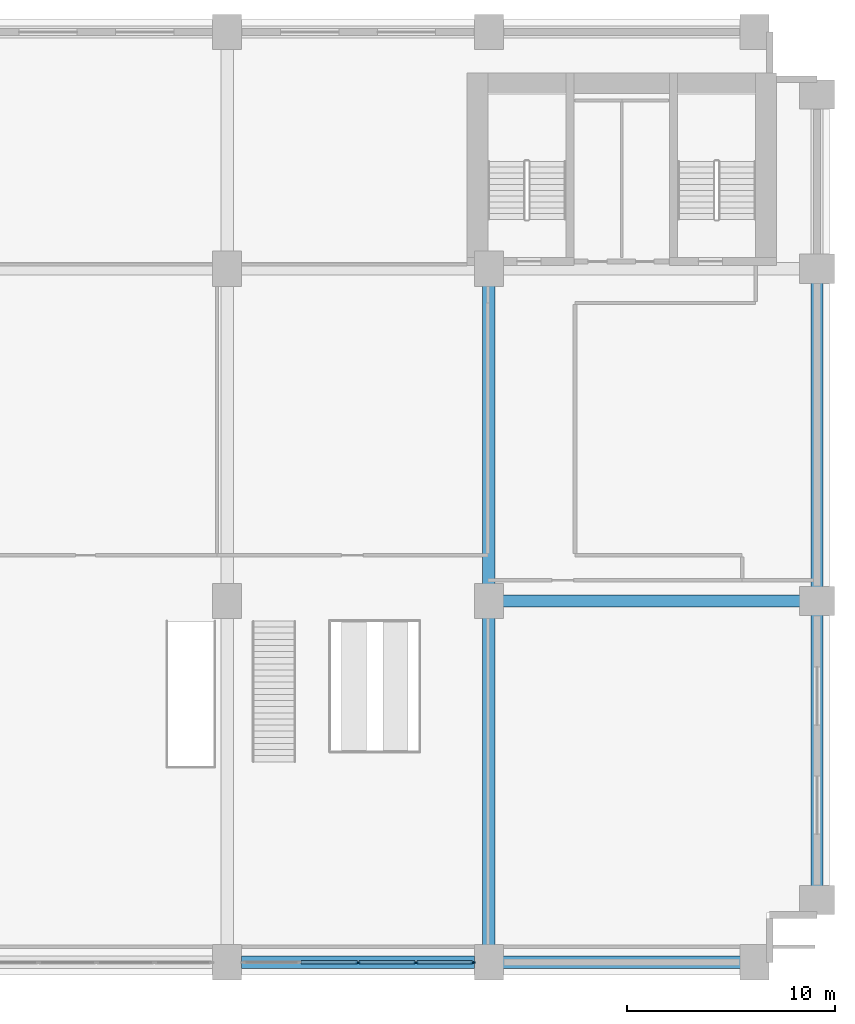
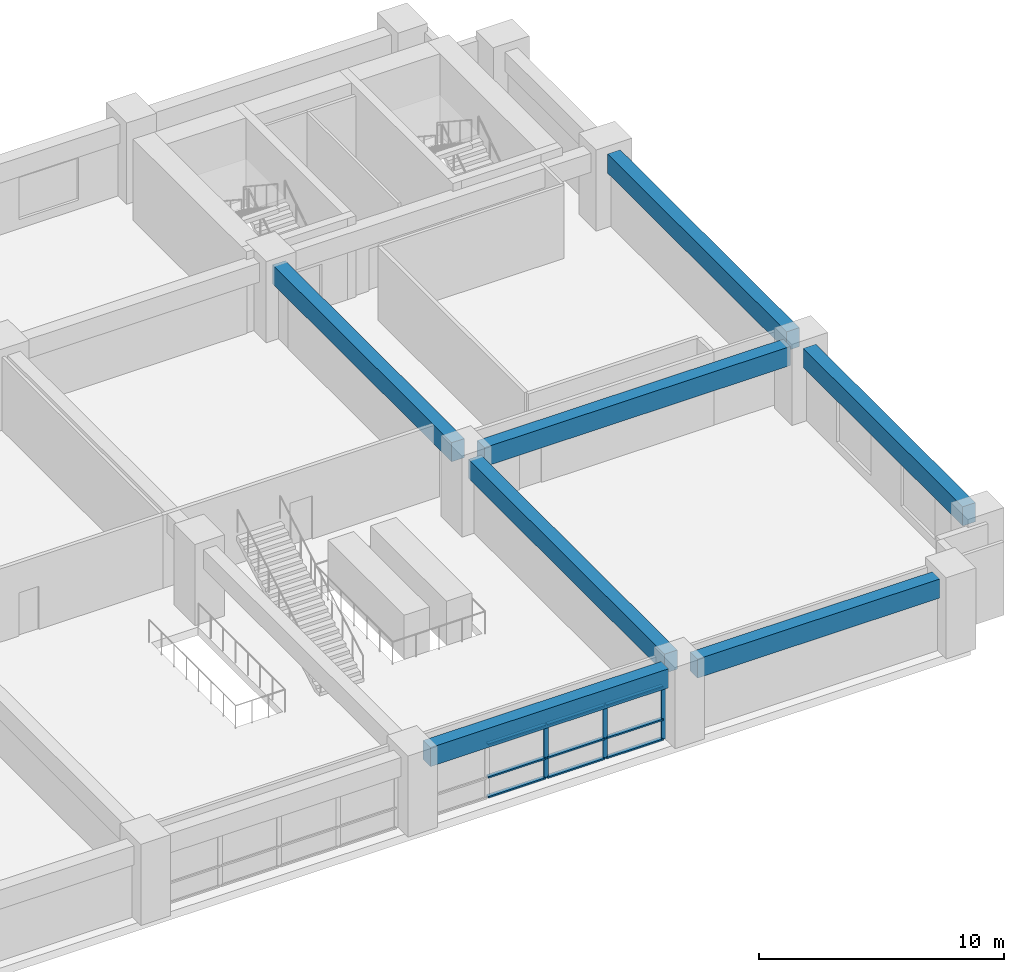
# One storey, part 3 of 11: 12 members, 7 beams, 1 element without a shape of its own.
"""IFC4 building model written with IfcOpenShell, lengths in metres."""

from ifc_helpers import new_model, si_unit, direction, frame, origin, origin_2d, place, context, subcontext, project, spatial, rectangle, extrude, material, layer, layer_set, material_profile, profile_set, type_object, element, aggregate, save


model = new_model("IFC4")

# Units and contexts
model_context = context("Model", 3, precision=1e-05, world=origin(), true_north=direction((0.0, 1.0)))
body_context = subcontext(model_context, "Body", "Model", "MODEL_VIEW")
ifc_project = project(units=[si_unit("LENGTHUNIT", "METRE"), si_unit("AREAUNIT", "SQUARE_METRE"), si_unit("VOLUMEUNIT", "CUBIC_METRE"), si_unit("PLANEANGLEUNIT", "RADIAN"), si_unit("MASSUNIT", "GRAM", prefix="KILO")], contexts=[model_context])

# Site, building, storey
site_placement = place(None, origin())
site = spatial("IfcSite", under=ifc_project, at=site_placement, CompositionType="ELEMENT")
building_placement = place(site_placement, origin())
building = spatial("IfcBuilding", under=site, at=building_placement, Name="Sulina Concourse Tower", CompositionType="ELEMENT")
storey_placement = place(building_placement, frame((0.0, 0.0, 9.449951171875)))
storey = spatial("IfcBuildingStorey", under=building, at=storey_placement, Name="L02", CompositionType="ELEMENT", Elevation=9.449951171875)

# Beams
ifc_material_1 = material(Name="Concrete C60/75", Category="concrete")
ifc_material_profile_1 = material_profile(ifc_material_1, rectangle(XDim=0.60009765625, YDim=0.949951171875, at=origin_2d()), Name="RC 600x950")
ifc_profile_set_1 = profile_set([ifc_material_profile_1], Name="Concrete C60/75")
beam_type = type_object("IfcBeamType", Name="Basement & Podium Primary Beam 600x950", PredefinedType="BEAM", material=ifc_profile_set_1)
beam_1_placement = place(storey_placement, frame((29.679931640625, 0.60009765625, 3.175048828125), z_axis=(1.0, 0.0, 0.0), x_axis=(0.0, 1.0, 0.0)))
element("IfcBeam", 1, at=beam_1_placement, inside=storey, type_object=beam_type, Name="PB-S3-L02", PredefinedType="BEAM", context=body_context, shape_type="SweptSolid", body=[
    extrude(rectangle(XDim=0.60009765625, YDim=0.949951171875, at=origin_2d()), origin(), (0.0, 0.0, 1.0), 11.239990234375),
])
beam_2_placement = place(storey_placement, frame((42.280029296875, 0.60009765625, 3.175048828125), z_axis=(1.0, 0.0, 0.0), x_axis=(0.0, 1.0, 0.0)))
element("IfcBeam", 2, at=beam_2_placement, inside=storey, type_object=beam_type, Name="PB-S4-L02", PredefinedType="BEAM", context=body_context, shape_type="SweptSolid", body=[
    extrude(rectangle(XDim=0.60009765625, YDim=0.949951171875, at=origin_2d()), origin(), (0.0, 0.0, 1.0), 11.43994140625),
])
beam_3_placement = place(storey_placement, frame((42.280029296875, 18.0, 3.175048828125), z_axis=(1.0, 0.0, 0.0), x_axis=(0.0, 1.0, 0.0)))
element("IfcBeam", 3, at=beam_3_placement, inside=storey, type_object=beam_type, Name="PB-M5-L02", PredefinedType="BEAM", context=body_context, shape_type="SweptSolid", body=[
    extrude(rectangle(XDim=0.60009765625, YDim=0.949951171875, at=origin_2d()), origin(), (0.0, 0.0, 1.0), 14.43994140625),
])
beam_4_placement = place(storey_placement, frame((57.39990234375, 4.280029296875, 3.175048828125), z_axis=(0.0, 1.0, 0.0), x_axis=(-1.0, 0.0, 0.0)))
element("IfcBeam", 4, at=beam_4_placement, inside=storey, type_object=beam_type, Name="PB-E1-L02", PredefinedType="BEAM", context=body_context, shape_type="SweptSolid", body=[
    extrude(rectangle(XDim=0.60009765625, YDim=0.949951171875, at=origin_2d()), origin(), (0.0, 0.0, 1.0), 13.0400390625),
])
beam_5_placement = place(storey_placement, frame((57.39990234375, 18.679931640625, 3.175048828125), z_axis=(0.0, 1.0, 0.0), x_axis=(-1.0, 0.0, 0.0)))
element("IfcBeam", 5, at=beam_5_placement, inside=storey, type_object=beam_type, Name="PB-E2-L02", PredefinedType="BEAM", context=body_context, shape_type="SweptSolid", body=[
    extrude(rectangle(XDim=0.60009765625, YDim=0.949951171875, at=origin_2d()), origin(), (0.0, 0.0, 1.0), 14.64013671875),
])
beam_6_placement = place(storey_placement, frame((41.60009765625, 1.280029296875, 3.175048828125), z_axis=(0.0, 1.0, 0.0), x_axis=(-1.0, 0.0, 0.0)))
element("IfcBeam", 6, at=beam_6_placement, inside=storey, type_object=beam_type, Name="PB-NS3A-L02", PredefinedType="BEAM", context=body_context, shape_type="SweptSolid", body=[
    extrude(rectangle(XDim=0.60009765625, YDim=0.949951171875, at=origin_2d()), origin(), (0.0, 0.0, 1.0), 16.0400390625),
])
beam_7_placement = place(storey_placement, frame((41.60009765625, 18.679931640625, 3.175048828125), z_axis=(0.0, 1.0, 0.0), x_axis=(-1.0, 0.0, 0.0)))
element("IfcBeam", 7, at=beam_7_placement, inside=storey, type_object=beam_type, Name="PB-NS3B-L02", PredefinedType="BEAM", context=body_context, shape_type="SweptSolid", body=[
    extrude(rectangle(XDim=0.60009765625, YDim=0.949951171875, at=origin_2d()), origin(), (0.0, 0.0, 1.0), 14.64013671875),
])

# Curtain wall, members
ifc_material_2 = material(Name="Anodised bronze aluminium", Category="aluminium")
ifc_layer = layer(ifc_material_2, 0.239990234375)
ifc_layer_set = layer_set([ifc_layer], Name="Anodised bronze aluminium")
curtain_wall_type = type_object("IfcCurtainWallType", Name="Station Concourse Curtain Wall System", PredefinedType="NOTDEFINED", material=ifc_layer_set)
curtain_wall_placement = place(storey_placement, origin())
curtain_wall = element("IfcCurtainWall", 8, at=curtain_wall_placement, inside=storey, type_object=curtain_wall_type, Name="L02 glazed curtain wall S3", PredefinedType="NOTDEFINED")
ifc_material_3 = material(Name="Anodised bronze aluminium", Category="aluminium")
ifc_material_profile_2 = material_profile(ifc_material_3, rectangle(XDim=0.074951171875, YDim=0.219970703125, at=origin_2d()), Name="MUL 75x220")
ifc_profile_set_2 = profile_set([ifc_material_profile_2], Name="Anodised bronze aluminium")
member_type_1 = type_object("IfcMemberType", Name="Station Concourse Curtain Wall System Mullion 75x220", PredefinedType="MULLION", material=ifc_profile_set_2)
member_1_placement = place(storey_placement, frame((40.842529296875, 0.60009765625, 0.0), z_axis=(0.0, 0.0, 1.0), x_axis=(0.0, -1.0, 0.0)))
member_1 = element("IfcMember", 9, at=member_1_placement, type_object=member_type_1, Name="CW-01 mullion 1", PredefinedType="MULLION", context=body_context, shape_type="SweptSolid", body=[
    extrude(rectangle(XDim=0.074951171875, YDim=0.219970703125, at=origin_2d()), origin(), (0.0, 0.0, 1.0), 2.699951171875),
])
member_2_placement = place(storey_placement, frame((38.090087890625, 0.60009765625, 0.0), z_axis=(0.0, 0.0, 1.0), x_axis=(0.0, -1.0, 0.0)))
member_2 = element("IfcMember", 10, at=member_2_placement, type_object=member_type_1, Name="CW-01 mullion 2", PredefinedType="MULLION", context=body_context, shape_type="SweptSolid", body=[
    extrude(rectangle(XDim=0.074951171875, YDim=0.219970703125, at=origin_2d()), origin(), (0.0, 0.0, 1.0), 2.699951171875),
])
member_3_placement = place(storey_placement, frame((35.300048828125, 0.60009765625, 0.0), z_axis=(0.0, 0.0, 1.0), x_axis=(0.0, -1.0, 0.0)))
member_3 = element("IfcMember", 11, at=member_3_placement, type_object=member_type_1, Name="CW-01 mullion 3", PredefinedType="MULLION", context=body_context, shape_type="SweptSolid", body=[
    extrude(rectangle(XDim=0.074951171875, YDim=0.219970703125, at=origin_2d()), origin(), (0.0, 0.0, 1.0), 2.699951171875),
])
ifc_material_4 = material(Name="Anodised bronze aluminium", Category="aluminium")
ifc_material_profile_3 = material_profile(ifc_material_4, rectangle(XDim=0.179931640625, YDim=0.074951171875, at=origin_2d()), Name="TRN 75x180")
ifc_profile_set_3 = profile_set([ifc_material_profile_3], Name="Anodised bronze aluminium")
member_type_2 = type_object("IfcMemberType", Name="Station Concourse Curtain Wall System Transom 75x180", PredefinedType="USERDEFINED", material=ifc_profile_set_3)
member_4_placement = place(storey_placement, frame((40.804931640625, 0.60009765625, 0.03759765625), z_axis=(-1.0, 0.0, 0.0), x_axis=(0.0, -1.0, 0.0)))
member_4 = element("IfcMember", 12, at=member_4_placement, type_object=member_type_2, Name="CW-01 transom 1.1", ObjectType="TRANSOM", PredefinedType="USERDEFINED", context=body_context, shape_type="SweptSolid", body=[
    extrude(rectangle(XDim=0.179931640625, YDim=0.074951171875, at=origin_2d()), origin(), (0.0, 0.0, 1.0), 2.677490234375),
])
member_5_placement = place(storey_placement, frame((40.804931640625, 0.60009765625, 1.026123046875), z_axis=(-1.0, 0.0, 0.0), x_axis=(0.0, -1.0, 0.0)))
member_5 = element("IfcMember", 13, at=member_5_placement, type_object=member_type_2, Name="CW-01 transom 1.2", ObjectType="TRANSOM", PredefinedType="USERDEFINED", context=body_context, shape_type="SweptSolid", body=[
    extrude(rectangle(XDim=0.179931640625, YDim=0.074951171875, at=origin_2d()), origin(), (0.0, 0.0, 1.0), 2.677490234375),
])
member_6_placement = place(storey_placement, frame((40.804931640625, 0.60009765625, 2.66259765625), z_axis=(-1.0, 0.0, 0.0), x_axis=(0.0, -1.0, 0.0)))
member_6 = element("IfcMember", 14, at=member_6_placement, type_object=member_type_2, Name="CW-01 transom 1.3", ObjectType="TRANSOM", PredefinedType="USERDEFINED", context=body_context, shape_type="SweptSolid", body=[
    extrude(rectangle(XDim=0.179931640625, YDim=0.074951171875, at=origin_2d()), origin(), (0.0, 0.0, 1.0), 2.677490234375),
])
member_7_placement = place(storey_placement, frame((38.052490234375, 0.60009765625, 0.03759765625), z_axis=(-1.0, 0.0, 0.0), x_axis=(0.0, -1.0, 0.0)))
member_7 = element("IfcMember", 15, at=member_7_placement, type_object=member_type_2, Name="CW-01 transom 2.1", ObjectType="TRANSOM", PredefinedType="USERDEFINED", context=body_context, shape_type="SweptSolid", body=[
    extrude(rectangle(XDim=0.179931640625, YDim=0.074951171875, at=origin_2d()), origin(), (0.0, 0.0, 1.0), 2.715087890625),
])
member_8_placement = place(storey_placement, frame((38.052490234375, 0.60009765625, 1.026123046875), z_axis=(-1.0, 0.0, 0.0), x_axis=(0.0, -1.0, 0.0)))
member_8 = element("IfcMember", 16, at=member_8_placement, type_object=member_type_2, Name="CW-01 transom 2.2", ObjectType="TRANSOM", PredefinedType="USERDEFINED", context=body_context, shape_type="SweptSolid", body=[
    extrude(rectangle(XDim=0.179931640625, YDim=0.074951171875, at=origin_2d()), origin(), (0.0, 0.0, 1.0), 2.715087890625),
])
member_9_placement = place(storey_placement, frame((38.052490234375, 0.60009765625, 2.66259765625), z_axis=(-1.0, 0.0, 0.0), x_axis=(0.0, -1.0, 0.0)))
member_9 = element("IfcMember", 17, at=member_9_placement, type_object=member_type_2, Name="CW-01 transom 2.3", ObjectType="TRANSOM", PredefinedType="USERDEFINED", context=body_context, shape_type="SweptSolid", body=[
    extrude(rectangle(XDim=0.179931640625, YDim=0.074951171875, at=origin_2d()), origin(), (0.0, 0.0, 1.0), 2.715087890625),
])
member_10_placement = place(storey_placement, frame((35.262451171875, 0.60009765625, 0.03759765625), z_axis=(-1.0, 0.0, 0.0), x_axis=(0.0, -1.0, 0.0)))
member_10 = element("IfcMember", 18, at=member_10_placement, type_object=member_type_2, Name="CW-01 transom 3.1", ObjectType="TRANSOM", PredefinedType="USERDEFINED", context=body_context, shape_type="SweptSolid", body=[
    extrude(rectangle(XDim=0.179931640625, YDim=0.074951171875, at=origin_2d()), origin(), (0.0, 0.0, 1.0), 2.71484375),
])
member_11_placement = place(storey_placement, frame((35.262451171875, 0.60009765625, 1.026123046875), z_axis=(-1.0, 0.0, 0.0), x_axis=(0.0, -1.0, 0.0)))
member_11 = element("IfcMember", 19, at=member_11_placement, type_object=member_type_2, Name="CW-01 transom 3.2", ObjectType="TRANSOM", PredefinedType="USERDEFINED", context=body_context, shape_type="SweptSolid", body=[
    extrude(rectangle(XDim=0.179931640625, YDim=0.074951171875, at=origin_2d()), origin(), (0.0, 0.0, 1.0), 2.71484375),
])
member_12_placement = place(storey_placement, frame((35.262451171875, 0.60009765625, 2.66259765625), z_axis=(-1.0, 0.0, 0.0), x_axis=(0.0, -1.0, 0.0)))
member_12 = element("IfcMember", 20, at=member_12_placement, type_object=member_type_2, Name="CW-01 transom 3.3", ObjectType="TRANSOM", PredefinedType="USERDEFINED", context=body_context, shape_type="SweptSolid", body=[
    extrude(rectangle(XDim=0.179931640625, YDim=0.074951171875, at=origin_2d()), origin(), (0.0, 0.0, 1.0), 2.71484375),
])
aggregate(curtain_wall, [member_1, member_2, member_3, member_4, member_5, member_6, member_7, member_8, member_9, member_10, member_11, member_12])

save(model, "model.ifc")
